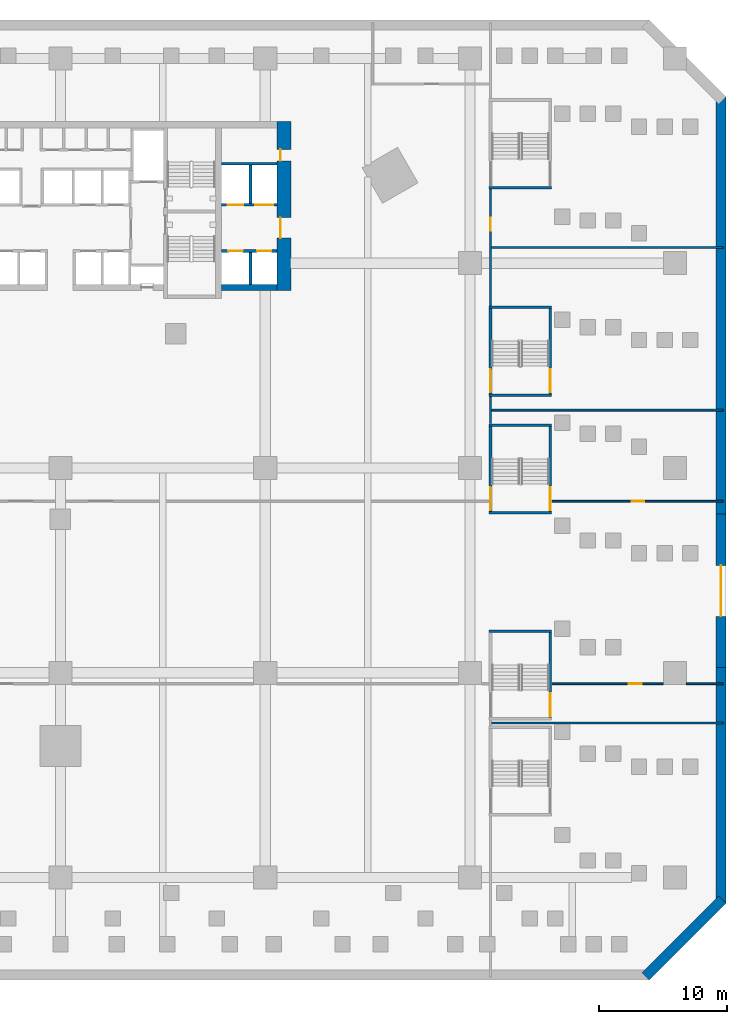
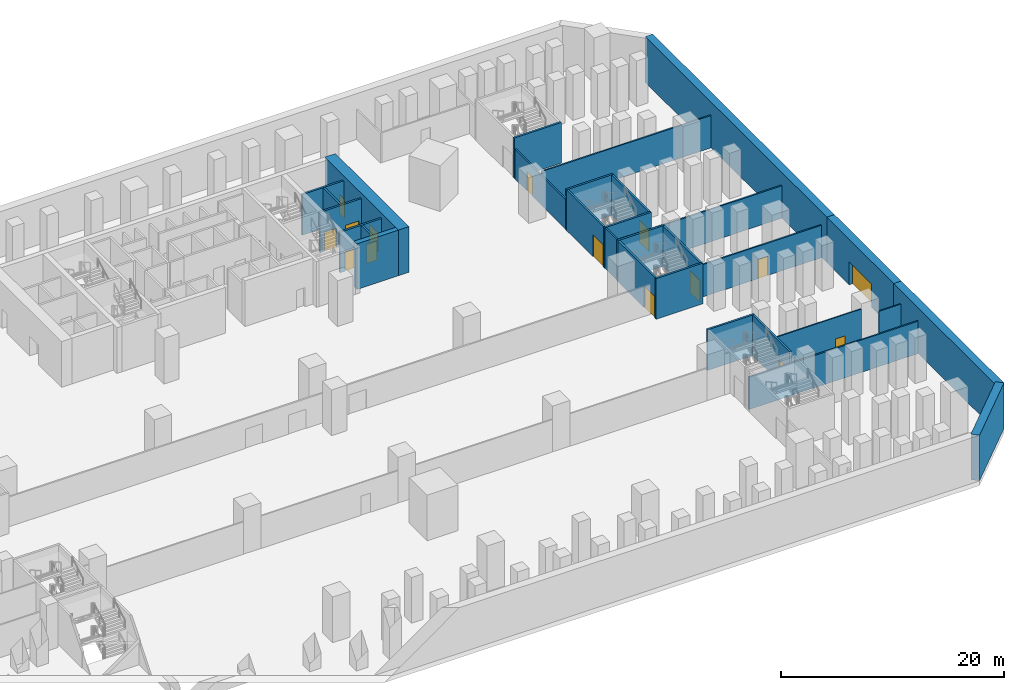
# One storey, part 9 of 24: 30 walls, 15 doors, 15 openings.
"""IFC4 building model written with IfcOpenShell, lengths in metres."""

import ifcopenshell
import ifcopenshell.guid

model = None  # the IFC model being written
_history = None  # IfcOwnerHistory: only IFC2X3 demands one
_inside = {}  # id of a spatial element -> (the spatial element, [elements in it])
_under = {}  # id of a project, library or spatial element -> (it, [spatial elements below it])
_declared = {}  # id of a project -> (the project, [libraries it declares])
_typed = {}  # id of a type object -> (the type object, [elements of that type])
_made_of = {}  # id of a material, layer set ... -> (it, [elements and type objects made of it])


def new_model(schema):
    """Start an empty IFC model of exactly this schema.

    Asked for "IFC4X3", IfcOpenShell would pick the latest addendum, in which some entities
    have other attributes; the version numbers below select the first issue.
    IFC2X3 requires an IfcOwnerHistory on every rooted entity: one is made here for all.
    """
    global model, _history
    if schema == "IFC4X3":
        model = ifcopenshell.file(schema_version=(4, 3, 0, 0))
    else:
        model = ifcopenshell.file(schema=schema)
    _inside.clear()
    _under.clear()
    _declared.clear()
    _typed.clear()
    _made_of.clear()
    _history = None
    if model.schema == "IFC2X3":
        org = make("IfcOrganization", Name="unknown")
        user = make(
            "IfcPersonAndOrganization",
            ThePerson=make("IfcPerson", FamilyName="unknown"),
            TheOrganization=org,
        )
        app = make(
            "IfcApplication",
            ApplicationDeveloper=org,
            Version="unknown",
            ApplicationFullName="unknown",
            ApplicationIdentifier="unknown",
        )
        _history = make(
            "IfcOwnerHistory",
            OwningUser=user,
            OwningApplication=app,
            ChangeAction="ADDED",
            CreationDate=0,
        )
    return model


def make(cls, **values):
    """One entity of the class cls with the attributes given. An attribute that is None is left unset."""
    return model.create_entity(
        cls, **{name: value for name, value in values.items() if value is not None}
    )


def rooted(cls, **values):
    """An entity with a GlobalId (a new one), such as an element, a storey or a relation."""
    return make(cls, GlobalId=ifcopenshell.guid.new(), OwnerHistory=_history, **values)


def si_unit(unit_type, name, prefix=None):
    """IfcSIUnit, for example si_unit("LENGTHUNIT", "METRE", prefix="MILLI")."""
    return make("IfcSIUnit", UnitType=unit_type, Prefix=prefix, Name=name)


def assignment(units):
    """IfcUnitAssignment: the units of a project."""
    return None if units is None else make("IfcUnitAssignment", Units=units)


def point(xyz):
    """IfcCartesianPoint."""
    return None if xyz is None else make("IfcCartesianPoint", Coordinates=xyz)


def direction(xyz):
    """IfcDirection."""
    return None if xyz is None else make("IfcDirection", DirectionRatios=xyz)


def frame(location, z_axis=None, x_axis=None):
    """IfcAxis2Placement3D, a coordinate frame: its origin and axes. An axis left out is left unset."""
    return make(
        "IfcAxis2Placement3D",
        Location=point(location),
        Axis=direction(z_axis),
        RefDirection=direction(x_axis),
    )


def frame_2d(location, x_axis=None):
    """IfcAxis2Placement2D, a coordinate frame in the plane: its origin and x axis."""
    return make(
        "IfcAxis2Placement2D", Location=point(location), RefDirection=direction(x_axis)
    )


def origin():
    """The frame at (0, 0, 0) with its axes left unset."""
    return frame((0.0, 0.0, 0.0))


def place(relative_to, where):
    """IfcLocalPlacement: puts the frame where relative to a parent placement (None: the world)."""
    return make(
        "IfcLocalPlacement", PlacementRelTo=relative_to, RelativePlacement=where
    )


def context(
    kind, dimensions, precision=None, world=None, true_north=None, identifier=None
):
    """IfcGeometricRepresentationContext, for example the 3D "Model" context."""
    return make(
        "IfcGeometricRepresentationContext",
        ContextIdentifier=identifier,
        ContextType=kind,
        CoordinateSpaceDimension=dimensions,
        Precision=precision,
        WorldCoordinateSystem=world,
        TrueNorth=true_north,
    )


def subcontext(parent, identifier, kind, view, scale=None):
    """IfcGeometricRepresentationSubContext, for example "Body" below "Model"."""
    return make(
        "IfcGeometricRepresentationSubContext",
        ContextIdentifier=identifier,
        ContextType=kind,
        ParentContext=parent,
        TargetScale=scale,
        TargetView=view,
    )


def project(units=None, contexts=None):
    """IfcProject with its units and contexts."""
    return rooted(
        "IfcProject",
        Name="project",
        RepresentationContexts=contexts,
        UnitsInContext=assignment(units),
    )


def spatial(cls, under=None, at=None, **own):
    """A site, building, storey or space (cls), placed at a placement, below another one or the project."""
    s = rooted(cls, ObjectPlacement=at, **own)
    if under is not None:
        _under.setdefault(under.id(), (under, []))[1].append(s)
    return s


def profile(cls, at=None, kind="AREA", **sizes):
    """A parametric profile (cls). Its sizes go by their IFC names, for example OverallWidth=200.0."""
    return make(cls, ProfileType=kind, Position=at, **sizes)


def rectangle(**sizes):
    """IfcRectangleProfileDef."""
    return profile("IfcRectangleProfileDef", **sizes)


def extrude(swept, where, along, depth):
    """IfcExtrudedAreaSolid: the profile swept, set in the frame where, extruded along a direction by depth."""
    return make(
        "IfcExtrudedAreaSolid",
        SweptArea=swept,
        Position=where,
        ExtrudedDirection=direction(along),
        Depth=depth,
    )


def shape(context_of_items, identifier, shape_type, items):
    """IfcShapeRepresentation: the items that make up one representation, for example the "Body"."""
    return make(
        "IfcShapeRepresentation",
        ContextOfItems=context_of_items,
        RepresentationIdentifier=identifier,
        RepresentationType=shape_type,
        Items=items,
    )


def material(Name=None, Category=None):
    """IfcMaterial."""
    return make("IfcMaterial", Name=Name, Category=Category)


def layer(
    of_material, thickness, ventilated=None, Name=None, Category=None, Priority=None
):
    """IfcMaterialLayer: one layer of a wall or slab, of a material (None: an air gap)."""
    return make(
        "IfcMaterialLayer",
        Material=of_material,
        LayerThickness=thickness,
        IsVentilated=ventilated,
        Name=Name,
        Category=Category,
        Priority=Priority,
    )


def layer_set(layers, Name=None):
    """IfcMaterialLayerSet."""
    return make("IfcMaterialLayerSet", MaterialLayers=layers, LayerSetName=Name)


def made_of(thing, what):
    """Note that an element or type object is made of a material, layer set ...; save() writes the relation."""
    if what is not None:
        _made_of.setdefault(what.id(), (what, []))[1].append(thing)
    return thing


def type_object(cls, material=None, **own):
    """A type object (cls), such as IfcWallType, which elements share."""
    return made_of(rooted(cls, **own), material)


def element(
    cls,
    number,
    at=None,
    inside=None,
    cuts=None,
    type_object=None,
    material=None,
    context=None,
    identifier="Body",
    shape_type=None,
    held_by="IfcProductDefinitionShape",
    body=None,
    shapes=None,
    **own,
):
    """One element of the class cls, such as IfcWall. Its Tag is "e" and its number.

    at: its placement. inside: the storey or other place that contains it. cuts: it is an
    opening in that element (IfcRelVoidsElement). A single representation is given by context,
    identifier, shape_type and body (its items); several are given by shapes. held_by: the class
    of the entity that holds the representations. save() writes the other relations.
    """
    e = rooted(cls, Tag="e%d" % number, ObjectPlacement=at, **own)
    if body is not None:
        shapes = [shape(context, identifier, shape_type, body)]
    if shapes is not None:
        e.Representation = make(held_by, Representations=shapes)
    if inside is not None:
        _inside.setdefault(inside.id(), (inside, []))[1].append(e)
    if cuts is not None:
        rooted(
            "IfcRelVoidsElement", RelatingBuildingElement=cuts, RelatedOpeningElement=e
        )
    if type_object is not None:
        _typed.setdefault(type_object.id(), (type_object, []))[1].append(e)
    return made_of(e, material)


def fill(opening, filler):
    """IfcRelFillsElement: the door or window that sits in an opening."""
    return rooted(
        "IfcRelFillsElement",
        RelatingOpeningElement=opening,
        RelatedBuildingElement=filler,
    )


def aggregate(whole, parts):
    """IfcRelAggregates: a whole, such as a stair, and the parts it consists of."""
    return rooted("IfcRelAggregates", RelatingObject=whole, RelatedObjects=parts)


def save(model, path):
    """Write the relations noted so far, then the file.

    IfcRelAggregates (storeys below a building ...), IfcRelContainedInSpatialStructure (elements
    in a storey), IfcRelDefinesByType, IfcRelAssociatesMaterial and IfcRelDeclares: one each for
    every whole, place, type object, material and project.
    """
    for whole, parts in _under.values():
        aggregate(whole, parts)
    for where, things in _inside.values():
        rooted(
            "IfcRelContainedInSpatialStructure",
            RelatedElements=things,
            RelatingStructure=where,
        )
    for kind, things in _typed.values():
        rooted("IfcRelDefinesByType", RelatedObjects=things, RelatingType=kind)
    for what, things in _made_of.values():
        rooted("IfcRelAssociatesMaterial", RelatedObjects=things, RelatingMaterial=what)
    for by, libraries in _declared.values():
        rooted("IfcRelDeclares", RelatingContext=by, RelatedDefinitions=libraries)
    model.write(path)


model = new_model("IFC4")

# Units and contexts
model_context = context("Model", 3, precision=1e-05, world=origin(), true_north=direction((0.0, 1.0)))
body_context = subcontext(model_context, "Body", "Model", "MODEL_VIEW")
ifc_project = project(units=[si_unit("LENGTHUNIT", "METRE"), si_unit("AREAUNIT", "SQUARE_METRE"), si_unit("VOLUMEUNIT", "CUBIC_METRE"), si_unit("PLANEANGLEUNIT", "RADIAN"), si_unit("MASSUNIT", "GRAM", prefix="KILO")], contexts=[model_context])

# Site, building, storey
site_placement = place(None, origin())
site = spatial("IfcSite", under=ifc_project, at=site_placement, CompositionType="ELEMENT")
building_placement = place(site_placement, origin())
building = spatial("IfcBuilding", under=site, at=building_placement, Name="Calabash Gate Tower", CompositionType="ELEMENT")
storey_placement = place(building_placement, frame((0.0, 0.0, -5.0)))
storey = spatial("IfcBuildingStorey", under=building, at=storey_placement, Name="B1", CompositionType="ELEMENT", Elevation=-5.0)

# Wall, openings, doors
ifc_material_1 = material(Name="Concrete C60/75", Category="concrete")
ifc_layer_1 = layer(ifc_material_1, 1.10009765625)
ifc_layer_set_1 = layer_set([ifc_layer_1], Name="Core wall 1100 Concrete C60/75")
wall_type_1 = type_object("IfcWallType", Name="Core wall 1100 Concrete C60/75", PredefinedType="SHEAR", material=ifc_layer_set_1)
wall_1_placement = place(storey_placement, frame((17.449951171875, 5.8525390625, 0.0), z_axis=(0.0, 0.0, 1.0), x_axis=(0.0, 1.0, 0.0)))
wall_1 = element("IfcWall", 1, at=wall_1_placement, inside=storey, type_object=wall_type_1, Name="Core wall B-ENDE B1", PredefinedType="SHEAR", context=body_context, shape_type="SweptSolid", body=[
    extrude(rectangle(XDim=13.199951171875, YDim=1.10009765625, at=frame_2d((6.60009765625, 0.0))), origin(), (0.0, 0.0, 1.0), 5.0),
])
opening_1_placement = place(wall_1_placement, frame((4.10009765625, 0.0, 0.0)))
opening_1 = element("IfcOpeningElement", 2, at=opening_1_placement, cuts=wall_1, Name="Opening B1-020", PredefinedType="OPENING", context=body_context, shape_type="SweptSolid", body=[
    extrude(rectangle(XDim=1.60009765625, YDim=2.10009765625, at=frame_2d((0.800048828125, 1.050048828125))), frame((0.0, 0.56005859375, 0.0), z_axis=(0.0, -1.0, 0.0), x_axis=(1.0, 0.0, 0.0)), (0.0, 0.0, 1.0), 1.1201171875),
])
opening_2_placement = place(wall_1_placement, frame((10.14990234375, 0.0, 0.0)))
opening_2 = element("IfcOpeningElement", 3, at=opening_2_placement, cuts=wall_1, Name="Opening B1-021", PredefinedType="OPENING", context=body_context, shape_type="SweptSolid", body=[
    extrude(rectangle(XDim=0.89990234375, YDim=2.10009765625, at=frame_2d((0.449951171875, 1.050048828125))), frame((0.0, 0.56005859375, 0.0), z_axis=(0.0, -1.0, 0.0), x_axis=(1.0, 0.0, 0.0)), (0.0, 0.0, 1.0), 1.1201171875),
])
ifc_material_2 = material(Name="Steel fire door set with fire-resisting glazing", Category="steel")
door_type_1 = type_object("IfcDoorType", Name="Double fire door D08 1600x2100 FD60", OperationType="DOUBLE_DOOR_SINGLE_SWING", PredefinedType="DOOR", material=ifc_material_2)
door_1_placement = place(opening_1_placement, origin())
door_1 = element("IfcDoor", 4, at=door_1_placement, inside=storey, type_object=door_type_1, Name="Low-rise Lift Lobby E door", OperationType="DOUBLE_DOOR_SINGLE_SWING", OverallHeight=2.10009765625, OverallWidth=1.60009765625, PredefinedType="DOOR", context=body_context, shape_type="SweptSolid", body=[
    extrude(rectangle(XDim=1.60009765625, YDim=2.10009765625, at=frame_2d((0.800048828125, 1.050048828125))), frame((0.0, 0.27490234375, 0.0), z_axis=(0.0, -1.0, 0.0), x_axis=(1.0, 0.0, 0.0)), (0.0, 0.0, 1.0), 0.050048828125),
])
fill(opening_1, door_1)
ifc_material_3 = material(Name="Steel fire door set with fire-resisting glazing", Category="steel")
door_type_2 = type_object("IfcDoorType", Name="Fire door D06 900x2100 FD60", OperationType="NOTDEFINED", PredefinedType="DOOR", material=ifc_material_3)
door_2_placement = place(opening_2_placement, origin())
door_2 = element("IfcDoor", 5, at=door_2_placement, inside=storey, type_object=door_type_2, Name="Smoke Extract Plant door", OperationType="SINGLE_SWING_LEFT", OverallHeight=2.10009765625, OverallWidth=0.89990234375, PredefinedType="DOOR", context=body_context, shape_type="SweptSolid", body=[
    extrude(rectangle(XDim=0.89990234375, YDim=2.10009765625, at=frame_2d((0.449951171875, 1.050048828125))), frame((0.0, 0.27490234375, 0.0), z_axis=(0.0, -1.0, 0.0), x_axis=(1.0, 0.0, 0.0)), (0.0, 0.0, 1.0), 0.050048828125),
])
fill(opening_2, door_2)

# Wall
ifc_material_4 = material(Name="Concrete C60/75", Category="concrete")
ifc_layer_2 = layer(ifc_material_4, 0.5)
ifc_layer_set_2 = layer_set([ifc_layer_2], Name="Core wall 500 Concrete C60/75")
wall_type_2 = type_object("IfcWallType", Name="Core wall 500 Concrete C60/75", PredefinedType="SHEAR", material=ifc_layer_set_2)
wall_2_placement = place(storey_placement, frame((12.60009765625, 6.1025390625, 0.0), z_axis=(0.0, 0.0, 1.0), x_axis=(1.0, 0.0, 0.0)))
element("IfcWall", 6, at=wall_2_placement, inside=storey, type_object=wall_type_2, Name="Core wall B-SE B1", PredefinedType="SHEAR", context=body_context, shape_type="SweptSolid", body=[
    extrude(rectangle(XDim=4.2998046875, YDim=0.5, at=frame_2d((2.14990234375, 0.0))), origin(), (0.0, 0.0, 1.0), 5.0),
])

# Wall, opening, door
ifc_material_5 = material(Name="Concrete C60/75", Category="concrete")
ifc_layer_3 = layer(ifc_material_5, 0.800048828125)
ifc_layer_set_3 = layer_set([ifc_layer_3], Name="Diaphragm wall 800 Concrete C60/75")
wall_type_3 = type_object("IfcWallType", Name="Diaphragm wall 800 Concrete C60/75", PredefinedType="SHEAR", material=ifc_layer_set_3)
wall_3_placement = place(storey_placement, frame((51.60009765625, -23.60009765625, 0.0), z_axis=(0.0, 0.0, 1.0), x_axis=(0.0, 1.0, 0.0)))
wall_3 = element("IfcWall", 7, at=wall_3_placement, inside=storey, type_object=wall_type_3, Name="Diaphragm wall B1 vehicle opening east", PredefinedType="SHEAR", context=body_context, shape_type="SweptSolid", body=[
    extrude(rectangle(XDim=12.0, YDim=0.800048828125, at=frame_2d((6.0, 0.0))), origin(), (0.0, 0.0, 1.0), 5.0),
])
opening_3_placement = place(wall_3_placement, frame((4.0, 0.0, 0.0)))
opening_3 = element("IfcOpeningElement", 8, at=opening_3_placement, cuts=wall_3, Name="Opening B1-001", PredefinedType="OPENING", context=body_context, shape_type="SweptSolid", body=[
    extrude(rectangle(XDim=4.0, YDim=2.5, at=frame_2d((2.0, 1.25))), frame((0.0, 0.409912109375, 0.0), z_axis=(0.0, -1.0, 0.0), x_axis=(1.0, 0.0, 0.0)), (0.0, 0.0, 1.0), 0.820068359375),
])
ifc_material_6 = material(Name="Steel roller shutter, powder coated", Category="steel")
door_type_3 = type_object("IfcDoorType", Name="Car park roller shutter DV4 4000x2500", OperationType="ROLLINGUP", PredefinedType="DOOR", material=ifc_material_6)
door_3_placement = place(opening_3_placement, origin())
door_3 = element("IfcDoor", 9, at=door_3_placement, inside=storey, type_object=door_type_3, Name="Car park entry roller shutter", OperationType="SINGLE_SWING_LEFT", OverallHeight=2.5, OverallWidth=4.0, PredefinedType="DOOR", context=body_context, shape_type="SweptSolid", body=[
    extrude(rectangle(XDim=4.0, YDim=2.5, at=frame_2d((2.0, 1.25))), frame((0.0, 0.02490234375, 0.0), z_axis=(0.0, -1.0, 0.0), x_axis=(1.0, 0.0, 0.0)), (0.0, 0.0, 1.0), 0.050048828125),
])
fill(opening_3, door_3)

# Walls
wall_4_placement = place(storey_placement, frame((45.717041015625, -47.717041015625, 0.0), z_axis=(0.0, 0.0, 1.0), x_axis=(0.707106781187, 0.707106781187, 0.0)))
element("IfcWall", 10, at=wall_4_placement, inside=storey, type_object=wall_type_3, Name="Diaphragm wall B1", PredefinedType="SHEAR", context=body_context, shape_type="SweptSolid", body=[
    extrude(rectangle(XDim=8.4853515625, YDim=0.800048828125, at=frame_2d((4.24267578125, 0.0))), origin(), (0.0, 0.0, 1.0), 5.0),
])
wall_5_placement = place(storey_placement, frame((51.60009765625, -42.0, 0.0), z_axis=(0.0, 0.0, 1.0), x_axis=(0.0, 1.0, 0.0)))
element("IfcWall", 11, at=wall_5_placement, inside=storey, type_object=wall_type_3, Name="Diaphragm wall B1", PredefinedType="SHEAR", context=body_context, shape_type="SweptSolid", body=[
    extrude(rectangle(XDim=18.39990234375, YDim=0.800048828125, at=frame_2d((9.199951171875, 0.0))), origin(), (0.0, 0.0, 1.0), 5.0),
])
wall_6_placement = place(storey_placement, frame((51.60009765625, -11.60009765625, 0.0), z_axis=(0.0, 0.0, 1.0), x_axis=(0.0, 1.0, 0.0)))
element("IfcWall", 12, at=wall_6_placement, inside=storey, type_object=wall_type_3, Name="Diaphragm wall B1", PredefinedType="SHEAR", context=body_context, shape_type="SweptSolid", body=[
    extrude(rectangle(XDim=32.60009765625, YDim=0.800048828125, at=frame_2d((16.300048828125, 0.0))), origin(), (0.0, 0.0, 1.0), 5.0),
])
ifc_material_7 = material(Name="Gypsum board on steel studs, mineral wool", Category="steel")
ifc_layer_4 = layer(ifc_material_7, 0.14990234375)
ifc_layer_set_4 = layer_set([ifc_layer_4], Name="Partition 150 gypsum board")
wall_type_4 = type_object("IfcWallType", Name="Partition 150 gypsum board", PredefinedType="PARTITIONING", material=ifc_layer_set_4)
wall_7_placement = place(storey_placement, frame((33.675048828125, -27.925048828125, 0.0), z_axis=(0.0, 0.0, 1.0), x_axis=(1.0, 0.0, 0.0)))
element("IfcWall", 13, at=wall_7_placement, inside=storey, type_object=wall_type_4, Name="Partition", PredefinedType="PARTITIONING", context=body_context, shape_type="SweptSolid", body=[
    extrude(rectangle(XDim=18.099853515625, YDim=0.14990234375, at=frame_2d((9.0498046875, 0.0))), origin(), (0.0, 0.0, 1.0), 3.550048828125),
])

# Wall, opening, door
wall_8_placement = place(storey_placement, frame((38.409912109375, -24.857421875, 0.0), z_axis=(0.0, 0.0, 1.0), x_axis=(1.0, 0.0, 0.0)))
wall_8 = element("IfcWall", 14, at=wall_8_placement, inside=storey, type_object=wall_type_4, Name="Partition", PredefinedType="PARTITIONING", context=body_context, shape_type="SweptSolid", body=[
    extrude(rectangle(XDim=8.690185546875, YDim=0.125, at=frame_2d((4.34521484375, 0.0))), origin(), (0.0, 0.0, 1.0), 4.449951171875),
])
opening_4_placement = place(wall_8_placement, frame((5.989990234375, 0.0, 0.0)))
opening_4 = element("IfcOpeningElement", 15, at=opening_4_placement, cuts=wall_8, Name="Opening B1-053", PredefinedType="OPENING", context=body_context, shape_type="SweptSolid", body=[
    extrude(rectangle(XDim=1.0, YDim=2.10009765625, at=frame_2d((0.5, 1.050048828125))), frame((0.0, 0.072509765625, 0.0), z_axis=(0.0, -1.0, 0.0), x_axis=(1.0, 0.0, 0.0)), (0.0, 0.0, 1.0), 0.14501953125),
])
ifc_material_8 = material(Name="Steel fire door set with fire-resisting glazing", Category="steel")
door_type_4 = type_object("IfcDoorType", Name="Fire door D11 1000x2100 FD60", OperationType="NOTDEFINED", PredefinedType="DOOR", material=ifc_material_8)
door_4_placement = place(opening_4_placement, origin())
door_4 = element("IfcDoor", 16, at=door_4_placement, inside=storey, type_object=door_type_4, Name="Electrical Switch Room door", OperationType="SINGLE_SWING_LEFT", OverallHeight=2.10009765625, OverallWidth=1.0, PredefinedType="DOOR", context=body_context, shape_type="SweptSolid", body=[
    extrude(rectangle(XDim=1.0, YDim=2.10009765625, at=frame_2d((0.5, 1.050048828125))), frame((0.0, 0.02490234375, 0.0), z_axis=(0.0, -1.0, 0.0), x_axis=(1.0, 0.0, 0.0)), (0.0, 0.0, 1.0), 0.050048828125),
])
fill(opening_4, door_4)

# Wall
wall_9_placement = place(storey_placement, frame((48.89990234375, -24.857421875, 0.0), z_axis=(0.0, 0.0, 1.0), x_axis=(1.0, 0.0, 0.0)))
element("IfcWall", 17, at=wall_9_placement, inside=storey, type_object=wall_type_4, Name="Partition", PredefinedType="PARTITIONING", context=body_context, shape_type="SweptSolid", body=[
    extrude(rectangle(XDim=2.875, YDim=0.125, at=frame_2d((1.4375, 0.0))), origin(), (0.0, 0.0, 1.0), 3.550048828125),
])

# Wall, opening, door
wall_10_placement = place(storey_placement, frame((38.409912109375, -10.60009765625, 0.0), z_axis=(0.0, 0.0, 1.0), x_axis=(1.0, 0.0, 0.0)))
wall_10 = element("IfcWall", 18, at=wall_10_placement, inside=storey, type_object=wall_type_4, Name="Partition", PredefinedType="PARTITIONING", context=body_context, shape_type="SweptSolid", body=[
    extrude(rectangle(XDim=13.364990234375, YDim=0.14990234375, at=frame_2d((6.6826171875, 0.0))), origin(), (0.0, 0.0, 1.0), 3.550048828125),
])
opening_5_placement = place(wall_10_placement, frame((6.2109375, 0.0, 0.0)))
opening_5 = element("IfcOpeningElement", 19, at=opening_5_placement, cuts=wall_10, Name="Opening B1-054", PredefinedType="OPENING", context=body_context, shape_type="SweptSolid", body=[
    extrude(rectangle(XDim=1.0, YDim=2.10009765625, at=frame_2d((0.5, 1.050048828125))), frame((0.0, 0.0849609375, 0.0), z_axis=(0.0, -1.0, 0.0), x_axis=(1.0, 0.0, 0.0)), (0.0, 0.0, 1.0), 0.169921875),
])
door_5_placement = place(opening_5_placement, origin())
door_5 = element("IfcDoor", 20, at=door_5_placement, inside=storey, type_object=door_type_4, Name="Metro Operations Office door", OperationType="SINGLE_SWING_LEFT", OverallHeight=2.10009765625, OverallWidth=1.0, PredefinedType="DOOR", context=body_context, shape_type="SweptSolid", body=[
    extrude(rectangle(XDim=1.0, YDim=2.10009765625, at=frame_2d((0.5, 1.050048828125))), frame((0.0, 0.02490234375, 0.0), z_axis=(0.0, -1.0, 0.0), x_axis=(1.0, 0.0, 0.0)), (0.0, 0.0, 1.0), 0.050048828125),
])
fill(opening_5, door_5)

# Walls
wall_11_placement = place(storey_placement, frame((33.60009765625, -4.510009765625, 0.0), z_axis=(0.0, 0.0, 1.0), x_axis=(0.0, 1.0, 0.0)))
element("IfcWall", 21, at=wall_11_placement, inside=storey, type_object=wall_type_4, Name="Partition", PredefinedType="PARTITIONING", context=body_context, shape_type="SweptSolid", body=[
    extrude(rectangle(XDim=2.070068359375, YDim=0.14990234375, at=frame_2d((1.03515625, 0.0))), origin(), (0.0, 0.0, 1.0), 4.449951171875),
])
wall_12_placement = place(storey_placement, frame((33.675048828125, -3.47509765625, 0.0), z_axis=(0.0, 0.0, 1.0), x_axis=(1.0, 0.0, 0.0)))
element("IfcWall", 22, at=wall_12_placement, inside=storey, type_object=wall_type_4, Name="Partition", PredefinedType="PARTITIONING", context=body_context, shape_type="SweptSolid", body=[
    extrude(rectangle(XDim=18.099853515625, YDim=0.14990234375, at=frame_2d((9.0498046875, 0.0))), origin(), (0.0, 0.0, 1.0), 3.550048828125),
])

# Wall, opening, door
wall_13_placement = place(storey_placement, frame((33.60009765625, 4.68994140625, 0.0), z_axis=(0.0, 0.0, 1.0), x_axis=(0.0, 1.0, 0.0)))
wall_13 = element("IfcWall", 23, at=wall_13_placement, inside=storey, type_object=wall_type_4, Name="Partition", PredefinedType="PARTITIONING", context=body_context, shape_type="SweptSolid", body=[
    extrude(rectangle(XDim=9.070068359375, YDim=0.14990234375, at=frame_2d((4.53515625, 0.0))), origin(), (0.0, 0.0, 1.0), 3.25),
])
opening_6_placement = place(wall_13_placement, frame((5.85888671875, 0.0, 0.0)))
opening_6 = element("IfcOpeningElement", 24, at=opening_6_placement, cuts=wall_13, Name="Opening B1-055", PredefinedType="OPENING", context=body_context, shape_type="SweptSolid", body=[
    extrude(rectangle(XDim=1.0, YDim=2.10009765625, at=frame_2d((0.5, 1.050048828125))), frame((0.0, 0.0849609375, 0.0), z_axis=(0.0, -1.0, 0.0), x_axis=(1.0, 0.0, 0.0)), (0.0, 0.0, 1.0), 0.169921875),
])
door_6_placement = place(opening_6_placement, origin())
door_6 = element("IfcDoor", 25, at=door_6_placement, inside=storey, type_object=door_type_4, Name="First Aid Room door", OperationType="SINGLE_SWING_RIGHT", OverallHeight=2.10009765625, OverallWidth=1.0, PredefinedType="DOOR", context=body_context, shape_type="SweptSolid", body=[
    extrude(rectangle(XDim=1.0, YDim=2.10009765625, at=frame_2d((0.5, 1.050048828125))), frame((0.0, 0.02490234375, 0.0), z_axis=(0.0, -1.0, 0.0), x_axis=(1.0, 0.0, 0.0)), (0.0, 0.0, 1.0), 0.050048828125),
])
fill(opening_6, door_6)

# Walls
wall_14_placement = place(storey_placement, frame((33.675048828125, 9.22509765625, 0.0), z_axis=(0.0, 0.0, 1.0), x_axis=(1.0, 0.0, 0.0)))
element("IfcWall", 26, at=wall_14_placement, inside=storey, type_object=wall_type_4, Name="Partition", PredefinedType="PARTITIONING", context=body_context, shape_type="SweptSolid", body=[
    extrude(rectangle(XDim=18.099853515625, YDim=0.14990234375, at=frame_2d((9.0498046875, 0.0))), origin(), (0.0, 0.0, 1.0), 3.550048828125),
])
ifc_material_9 = material(Name="Concrete C40/50", Category="concrete")
ifc_layer_5 = layer(ifc_material_9, 0.199951171875)
ifc_layer_set_5 = layer_set([ifc_layer_5], Name="Shaft wall 200 Concrete C40/50")
wall_type_5 = type_object("IfcWallType", Name="Shaft wall 200 Concrete C40/50", PredefinedType="SOLIDWALL", material=ifc_layer_set_5)
wall_15_placement = place(storey_placement, frame((14.85009765625, 6.3525390625, 0.0), z_axis=(0.0, 0.0, 1.0), x_axis=(0.0, 1.0, 0.0)))
element("IfcWall", 27, at=wall_15_placement, inside=storey, type_object=wall_type_5, Name="Shaft wall", PredefinedType="SOLIDWALL", context=body_context, shape_type="SweptSolid", body=[
    extrude(rectangle(XDim=2.5, YDim=0.199951171875, at=frame_2d((1.25, 0.0))), origin(), (0.0, 0.0, 1.0), 4.449951171875),
])

# Wall, openings, doors
wall_16_placement = place(storey_placement, frame((12.60009765625, 8.95263671875, 0.0), z_axis=(0.0, 0.0, 1.0), x_axis=(1.0, 0.0, 0.0)))
wall_16 = element("IfcWall", 28, at=wall_16_placement, inside=storey, type_object=wall_type_5, Name="Shaft wall", PredefinedType="SOLIDWALL", context=body_context, shape_type="SweptSolid", body=[
    extrude(rectangle(XDim=4.2998046875, YDim=0.199951171875, at=frame_2d((2.14990234375, 0.0))), origin(), (0.0, 0.0, 1.0), 4.449951171875),
])
opening_7_placement = place(wall_16_placement, frame((0.52490234375, 0.0, 0.0)))
opening_7 = element("IfcOpeningElement", 29, at=opening_7_placement, cuts=wall_16, Name="Opening LD-LR5", PredefinedType="OPENING", context=body_context, shape_type="SweptSolid", body=[
    extrude(rectangle(XDim=1.10009765625, YDim=2.10009765625, at=frame_2d((0.550048828125, 1.050048828125))), frame((0.0, 0.10986328125, 0.0), z_axis=(0.0, -1.0, 0.0), x_axis=(1.0, 0.0, 0.0)), (0.0, 0.0, 1.0), 0.219970703125),
])
opening_8_placement = place(wall_16_placement, frame((2.77490234375, 0.0, 0.0)))
opening_8 = element("IfcOpeningElement", 30, at=opening_8_placement, cuts=wall_16, Name="Opening LD-LR6", PredefinedType="OPENING", context=body_context, shape_type="SweptSolid", body=[
    extrude(rectangle(XDim=1.10009765625, YDim=2.10009765625, at=frame_2d((0.550048828125, 1.050048828125))), frame((0.0, 0.10986328125, 0.0), z_axis=(0.0, -1.0, 0.0), x_axis=(1.0, 0.0, 0.0)), (0.0, 0.0, 1.0), 0.219970703125),
])
ifc_material_10 = material(Name="Stainless steel sliding door leaves", Category="steel")
door_type_5 = type_object("IfcDoorType", Name="Lift landing door LS1 1100x2100 FD90", OperationType="DOUBLE_DOOR_SLIDING", PredefinedType="DOOR", material=ifc_material_10)
door_7_placement = place(opening_7_placement, origin())
door_7 = element("IfcDoor", 31, at=door_7_placement, inside=storey, type_object=door_type_5, Name="Lift landing door LR5", OperationType="DOUBLE_DOOR_SLIDING", OverallHeight=2.10009765625, OverallWidth=1.10009765625, PredefinedType="DOOR", context=body_context, shape_type="SweptSolid", body=[
    extrude(rectangle(XDim=1.10009765625, YDim=2.10009765625, at=frame_2d((0.550048828125, 1.050048828125))), frame((0.0, 0.02490234375, 0.0), z_axis=(0.0, -1.0, 0.0), x_axis=(1.0, 0.0, 0.0)), (0.0, 0.0, 1.0), 0.050048828125),
])
fill(opening_7, door_7)
door_8_placement = place(opening_8_placement, origin())
door_8 = element("IfcDoor", 32, at=door_8_placement, inside=storey, type_object=door_type_5, Name="Lift landing door LR6", OperationType="DOUBLE_DOOR_SLIDING", OverallHeight=2.10009765625, OverallWidth=1.10009765625, PredefinedType="DOOR", context=body_context, shape_type="SweptSolid", body=[
    extrude(rectangle(XDim=1.10009765625, YDim=2.10009765625, at=frame_2d((0.550048828125, 1.050048828125))), frame((0.0, 0.02490234375, 0.0), z_axis=(0.0, -1.0, 0.0), x_axis=(1.0, 0.0, 0.0)), (0.0, 0.0, 1.0), 0.050048828125),
])
fill(opening_8, door_8)

wall_17_placement = place(storey_placement, frame((12.60009765625, 12.552490234375, 0.0), z_axis=(0.0, 0.0, 1.0), x_axis=(1.0, 0.0, 0.0)))
wall_17 = element("IfcWall", 33, at=wall_17_placement, inside=storey, type_object=wall_type_5, Name="Shaft wall", PredefinedType="SOLIDWALL", context=body_context, shape_type="SweptSolid", body=[
    extrude(rectangle(XDim=4.2998046875, YDim=0.199951171875, at=frame_2d((2.14990234375, 0.0))), origin(), (0.0, 0.0, 1.0), 4.449951171875),
])
opening_9_placement = place(wall_17_placement, frame((0.47509765625, 0.0, 0.0)))
opening_9 = element("IfcOpeningElement", 34, at=opening_9_placement, cuts=wall_17, Name="Opening LD-SL1", PredefinedType="OPENING", context=body_context, shape_type="SweptSolid", body=[
    extrude(rectangle(XDim=1.199951171875, YDim=2.10009765625, at=frame_2d((0.60009765625, 1.050048828125))), frame((0.0, 0.10986328125, 0.0), z_axis=(0.0, -1.0, 0.0), x_axis=(1.0, 0.0, 0.0)), (0.0, 0.0, 1.0), 0.219970703125),
])
opening_10_placement = place(wall_17_placement, frame((2.625, 0.0, 0.0)))
opening_10 = element("IfcOpeningElement", 35, at=opening_10_placement, cuts=wall_17, Name="Opening LD-GL1", PredefinedType="OPENING", context=body_context, shape_type="SweptSolid", body=[
    extrude(rectangle(XDim=1.39990234375, YDim=2.10009765625, at=frame_2d((0.699951171875, 1.050048828125))), frame((0.0, 0.10986328125, 0.0), z_axis=(0.0, -1.0, 0.0), x_axis=(1.0, 0.0, 0.0)), (0.0, 0.0, 1.0), 0.219970703125),
])
ifc_material_11 = material(Name="Stainless steel sliding door leaves", Category="steel")
door_type_6 = type_object("IfcDoorType", Name="Lift landing door LS3 1200x2100 FD90", OperationType="DOUBLE_DOOR_SLIDING", PredefinedType="DOOR", material=ifc_material_11)
door_9_placement = place(opening_9_placement, origin())
door_9 = element("IfcDoor", 36, at=door_9_placement, inside=storey, type_object=door_type_6, Name="Lift landing door SL1", OperationType="DOUBLE_DOOR_SLIDING", OverallHeight=2.10009765625, OverallWidth=1.199951171875, PredefinedType="DOOR", context=body_context, shape_type="SweptSolid", body=[
    extrude(rectangle(XDim=1.199951171875, YDim=2.10009765625, at=frame_2d((0.60009765625, 1.050048828125))), frame((0.0, 0.02490234375, 0.0), z_axis=(0.0, -1.0, 0.0), x_axis=(1.0, 0.0, 0.0)), (0.0, 0.0, 1.0), 0.050048828125),
])
fill(opening_9, door_9)
ifc_material_12 = material(Name="Stainless steel sliding door leaves", Category="steel")
door_type_7 = type_object("IfcDoorType", Name="Lift landing door LS4 1400x2100 FD90", OperationType="DOUBLE_DOOR_SLIDING", PredefinedType="DOOR", material=ifc_material_12)
door_10_placement = place(opening_10_placement, origin())
door_10 = element("IfcDoor", 37, at=door_10_placement, inside=storey, type_object=door_type_7, Name="Lift landing door GL1", OperationType="DOUBLE_DOOR_SLIDING", OverallHeight=2.10009765625, OverallWidth=1.39990234375, PredefinedType="DOOR", context=body_context, shape_type="SweptSolid", body=[
    extrude(rectangle(XDim=1.39990234375, YDim=2.10009765625, at=frame_2d((0.699951171875, 1.050048828125))), frame((0.0, 0.02490234375, 0.0), z_axis=(0.0, -1.0, 0.0), x_axis=(1.0, 0.0, 0.0)), (0.0, 0.0, 1.0), 0.050048828125),
])
fill(opening_10, door_10)

# Walls
wall_18_placement = place(storey_placement, frame((14.85009765625, 12.652587890625, 0.0), z_axis=(0.0, 0.0, 1.0), x_axis=(0.0, 1.0, 0.0)))
element("IfcWall", 38, at=wall_18_placement, inside=storey, type_object=wall_type_5, Name="Shaft wall", PredefinedType="SOLIDWALL", context=body_context, shape_type="SweptSolid", body=[
    extrude(rectangle(XDim=3.0, YDim=0.199951171875, at=frame_2d((1.5, 0.0))), origin(), (0.0, 0.0, 1.0), 4.449951171875),
])
wall_19_placement = place(storey_placement, frame((12.60009765625, 15.752685546875, 0.0), z_axis=(0.0, 0.0, 1.0), x_axis=(1.0, 0.0, 0.0)))
element("IfcWall", 39, at=wall_19_placement, inside=storey, type_object=wall_type_5, Name="Shaft wall", PredefinedType="SOLIDWALL", context=body_context, shape_type="SweptSolid", body=[
    extrude(rectangle(XDim=4.2998046875, YDim=0.199951171875, at=frame_2d((2.14990234375, 0.0))), origin(), (0.0, 0.0, 1.0), 4.449951171875),
])
ifc_material_13 = material(Name="Concrete C40/50", Category="concrete")
ifc_layer_6 = layer(ifc_material_13, 0.199951171875)
ifc_layer_set_6 = layer_set([ifc_layer_6], Name="Stair wall 200 Concrete C40/50")
wall_type_6 = type_object("IfcWallType", Name="Stair wall 200 Concrete C40/50", PredefinedType="SOLIDWALL", material=ifc_layer_set_6)
wall_20_placement = place(storey_placement, frame((33.5, -20.75, 0.0), z_axis=(0.0, 0.0, 1.0), x_axis=(1.0, 0.0, 0.0)))
element("IfcWall", 40, at=wall_20_placement, inside=storey, type_object=wall_type_6, Name="Stair wall", PredefinedType="SOLIDWALL", context=body_context, shape_type="SweptSolid", body=[
    extrude(rectangle(XDim=4.8701171875, YDim=0.199951171875, at=frame_2d((2.43505859375, 0.0))), origin(), (0.0, 0.0, 1.0), 4.449951171875),
])

# Wall, opening, door
wall_21_placement = place(storey_placement, frame((38.27001953125, -27.5, 0.0), z_axis=(0.0, 0.0, 1.0), x_axis=(0.0, 1.0, 0.0)))
wall_21 = element("IfcWall", 41, at=wall_21_placement, inside=storey, type_object=wall_type_6, Name="Stair wall", PredefinedType="SOLIDWALL", context=body_context, shape_type="SweptSolid", body=[
    extrude(rectangle(XDim=6.64990234375, YDim=0.199951171875, at=frame_2d((3.324951171875, 0.0))), origin(), (0.0, 0.0, 1.0), 4.449951171875),
])
opening_11_placement = place(wall_21_placement, frame((0.10009765625, 0.0, 0.0)))
opening_11 = element("IfcOpeningElement", 42, at=opening_11_placement, cuts=wall_21, Name="Opening B1-035", PredefinedType="OPENING", context=body_context, shape_type="SweptSolid", body=[
    extrude(rectangle(XDim=1.800048828125, YDim=2.39990234375, at=frame_2d((0.89990234375, 1.199951171875))), frame((0.0, 0.10986328125, 0.0), z_axis=(0.0, -1.0, 0.0), x_axis=(1.0, 0.0, 0.0)), (0.0, 0.0, 1.0), 0.219970703125),
])
ifc_material_14 = material(Name="Steel fire door set with fire-resisting glazing", Category="steel")
door_type_8 = type_object("IfcDoorType", Name="Double fire door D16 1800x2400 FD90", OperationType="DOUBLE_DOOR_SINGLE_SWING", PredefinedType="DOOR", material=ifc_material_14)
door_11_placement = place(opening_11_placement, origin())
door_11 = element("IfcDoor", 43, at=door_11_placement, inside=storey, type_object=door_type_8, Name="Exit stair door PS7", OperationType="DOUBLE_DOOR_SINGLE_SWING", OverallHeight=2.39990234375, OverallWidth=1.800048828125, PredefinedType="DOOR", context=body_context, shape_type="SweptSolid", body=[
    extrude(rectangle(XDim=1.800048828125, YDim=2.39990234375, at=frame_2d((0.89990234375, 1.199951171875))), frame((0.0, 0.02490234375, 0.0), z_axis=(0.0, -1.0, 0.0), x_axis=(1.0, 0.0, 0.0)), (0.0, 0.0, 1.0), 0.050048828125),
])
fill(opening_11, door_11)

# Walls
for number, where, z_axis, x_axis, name in (
    (44, (33.5, -11.5, 0.0), (0.0, 0.0, 1.0), (1.0, 0.0, 0.0), "Stair wall"),
    (45, (33.5, -4.64990234375, 0.0), (0.0, 0.0, 1.0), (1.0, 0.0, 0.0), "Stair wall"),
):
    element("IfcWall", number, at=place(storey_placement, frame(where, z_axis=z_axis, x_axis=x_axis)), inside=storey, type_object=wall_type_6, Name=name, PredefinedType="SOLIDWALL", context=body_context, shape_type="SweptSolid", body=[
        extrude(rectangle(XDim=4.8701171875, YDim=0.199951171875, at=frame_2d((2.43505859375, 0.0))), origin(), (0.0, 0.0, 1.0), 4.449951171875),
    ])

# Wall, opening, door
wall_22_placement = place(storey_placement, frame((33.60009765625, -11.39990234375, 0.0), z_axis=(0.0, 0.0, 1.0), x_axis=(0.0, 1.0, 0.0)))
wall_22 = element("IfcWall", 46, at=wall_22_placement, inside=storey, type_object=wall_type_6, Name="Stair wall", PredefinedType="SOLIDWALL", context=body_context, shape_type="SweptSolid", body=[
    extrude(rectangle(XDim=6.64990234375, YDim=0.199951171875, at=frame_2d((3.324951171875, 0.0))), origin(), (0.0, 0.0, 1.0), 4.449951171875),
])
opening_12_placement = place(wall_22_placement, frame((0.10009765625, 0.0, 0.0)))
opening_12 = element("IfcOpeningElement", 47, at=opening_12_placement, cuts=wall_22, Name="Opening B1-036", PredefinedType="OPENING", context=body_context, shape_type="SweptSolid", body=[
    extrude(rectangle(XDim=1.800048828125, YDim=2.39990234375, at=frame_2d((0.89990234375, 1.199951171875))), frame((0.0, 0.10986328125, 0.0), z_axis=(0.0, -1.0, 0.0), x_axis=(1.0, 0.0, 0.0)), (0.0, 0.0, 1.0), 0.219970703125),
])
door_12_placement = place(opening_12_placement, origin())
door_12 = element("IfcDoor", 48, at=door_12_placement, inside=storey, type_object=door_type_8, Name="Exit stair door PS8", OperationType="DOUBLE_DOOR_SINGLE_SWING", OverallHeight=2.39990234375, OverallWidth=1.800048828125, PredefinedType="DOOR", context=body_context, shape_type="SweptSolid", body=[
    extrude(rectangle(XDim=1.800048828125, YDim=2.39990234375, at=frame_2d((0.89990234375, 1.199951171875))), frame((0.0, 0.02490234375, 0.0), z_axis=(0.0, -1.0, 0.0), x_axis=(1.0, 0.0, 0.0)), (0.0, 0.0, 1.0), 0.050048828125),
])
fill(opening_12, door_12)

wall_23_placement = place(storey_placement, frame((38.27001953125, -11.39990234375, 0.0), z_axis=(0.0, 0.0, 1.0), x_axis=(0.0, 1.0, 0.0)))
wall_23 = element("IfcWall", 49, at=wall_23_placement, inside=storey, type_object=wall_type_6, Name="Stair wall", PredefinedType="SOLIDWALL", context=body_context, shape_type="SweptSolid", body=[
    extrude(rectangle(XDim=6.64990234375, YDim=0.199951171875, at=frame_2d((3.324951171875, 0.0))), origin(), (0.0, 0.0, 1.0), 4.449951171875),
])
opening_13_placement = place(wall_23_placement, frame((0.10009765625, 0.0, 0.0)))
opening_13 = element("IfcOpeningElement", 50, at=opening_13_placement, cuts=wall_23, Name="Opening B1-037", PredefinedType="OPENING", context=body_context, shape_type="SweptSolid", body=[
    extrude(rectangle(XDim=1.800048828125, YDim=2.39990234375, at=frame_2d((0.89990234375, 1.199951171875))), frame((0.0, 0.10986328125, 0.0), z_axis=(0.0, -1.0, 0.0), x_axis=(1.0, 0.0, 0.0)), (0.0, 0.0, 1.0), 0.219970703125),
])
door_13_placement = place(opening_13_placement, origin())
door_13 = element("IfcDoor", 51, at=door_13_placement, inside=storey, type_object=door_type_8, Name="Exit stair door PS8", OperationType="DOUBLE_DOOR_SINGLE_SWING", OverallHeight=2.39990234375, OverallWidth=1.800048828125, PredefinedType="DOOR", context=body_context, shape_type="SweptSolid", body=[
    extrude(rectangle(XDim=1.800048828125, YDim=2.39990234375, at=frame_2d((0.89990234375, 1.199951171875))), frame((0.0, 0.02490234375, 0.0), z_axis=(0.0, -1.0, 0.0), x_axis=(1.0, 0.0, 0.0)), (0.0, 0.0, 1.0), 0.050048828125),
])
fill(opening_13, door_13)

# Walls
for number, where, z_axis, x_axis, name in (
    (52, (33.5, -2.300048828125, 0.0), (0.0, 0.0, 1.0), (1.0, 0.0, 0.0), "Stair wall"),
    (53, (33.5, 4.550048828125, 0.0), (0.0, 0.0, 1.0), (1.0, 0.0, 0.0), "Stair wall"),
):
    element("IfcWall", number, at=place(storey_placement, frame(where, z_axis=z_axis, x_axis=x_axis)), inside=storey, type_object=wall_type_6, Name=name, PredefinedType="SOLIDWALL", context=body_context, shape_type="SweptSolid", body=[
        extrude(rectangle(XDim=4.8701171875, YDim=0.199951171875, at=frame_2d((2.43505859375, 0.0))), origin(), (0.0, 0.0, 1.0), 4.449951171875),
    ])

# Wall, opening, door
wall_24_placement = place(storey_placement, frame((33.60009765625, -2.199951171875, 0.0), z_axis=(0.0, 0.0, 1.0), x_axis=(0.0, 1.0, 0.0)))
wall_24 = element("IfcWall", 54, at=wall_24_placement, inside=storey, type_object=wall_type_6, Name="Stair wall", PredefinedType="SOLIDWALL", context=body_context, shape_type="SweptSolid", body=[
    extrude(rectangle(XDim=6.64990234375, YDim=0.199951171875, at=frame_2d((3.324951171875, 0.0))), origin(), (0.0, 0.0, 1.0), 4.449951171875),
])
opening_14_placement = place(wall_24_placement, frame((0.10009765625, 0.0, 0.0)))
opening_14 = element("IfcOpeningElement", 55, at=opening_14_placement, cuts=wall_24, Name="Opening B1-038", PredefinedType="OPENING", context=body_context, shape_type="SweptSolid", body=[
    extrude(rectangle(XDim=1.800048828125, YDim=2.39990234375, at=frame_2d((0.89990234375, 1.199951171875))), frame((0.0, 0.10986328125, 0.0), z_axis=(0.0, -1.0, 0.0), x_axis=(1.0, 0.0, 0.0)), (0.0, 0.0, 1.0), 0.219970703125),
])
door_14_placement = place(opening_14_placement, origin())
door_14 = element("IfcDoor", 56, at=door_14_placement, inside=storey, type_object=door_type_8, Name="Exit stair door PS9", OperationType="DOUBLE_DOOR_SINGLE_SWING", OverallHeight=2.39990234375, OverallWidth=1.800048828125, PredefinedType="DOOR", context=body_context, shape_type="SweptSolid", body=[
    extrude(rectangle(XDim=1.800048828125, YDim=2.39990234375, at=frame_2d((0.89990234375, 1.199951171875))), frame((0.0, 0.02490234375, 0.0), z_axis=(0.0, -1.0, 0.0), x_axis=(1.0, 0.0, 0.0)), (0.0, 0.0, 1.0), 0.050048828125),
])
fill(opening_14, door_14)

wall_25_placement = place(storey_placement, frame((38.27001953125, -2.199951171875, 0.0), z_axis=(0.0, 0.0, 1.0), x_axis=(0.0, 1.0, 0.0)))
wall_25 = element("IfcWall", 57, at=wall_25_placement, inside=storey, type_object=wall_type_6, Name="Stair wall", PredefinedType="SOLIDWALL", context=body_context, shape_type="SweptSolid", body=[
    extrude(rectangle(XDim=6.64990234375, YDim=0.199951171875, at=frame_2d((3.324951171875, 0.0))), origin(), (0.0, 0.0, 1.0), 4.449951171875),
])
opening_15_placement = place(wall_25_placement, frame((0.10009765625, 0.0, 0.0)))
opening_15 = element("IfcOpeningElement", 58, at=opening_15_placement, cuts=wall_25, Name="Opening B1-039", PredefinedType="OPENING", context=body_context, shape_type="SweptSolid", body=[
    extrude(rectangle(XDim=1.800048828125, YDim=2.39990234375, at=frame_2d((0.89990234375, 1.199951171875))), frame((0.0, 0.10986328125, 0.0), z_axis=(0.0, -1.0, 0.0), x_axis=(1.0, 0.0, 0.0)), (0.0, 0.0, 1.0), 0.219970703125),
])
door_15_placement = place(opening_15_placement, origin())
door_15 = element("IfcDoor", 59, at=door_15_placement, inside=storey, type_object=door_type_8, Name="Exit stair door PS9", OperationType="DOUBLE_DOOR_SINGLE_SWING", OverallHeight=2.39990234375, OverallWidth=1.800048828125, PredefinedType="DOOR", context=body_context, shape_type="SweptSolid", body=[
    extrude(rectangle(XDim=1.800048828125, YDim=2.39990234375, at=frame_2d((0.89990234375, 1.199951171875))), frame((0.0, 0.02490234375, 0.0), z_axis=(0.0, -1.0, 0.0), x_axis=(1.0, 0.0, 0.0)), (0.0, 0.0, 1.0), 0.050048828125),
])
fill(opening_15, door_15)

# Wall
wall_26_placement = place(storey_placement, frame((33.5, 13.89990234375, 0.0), z_axis=(0.0, 0.0, 1.0), x_axis=(1.0, 0.0, 0.0)))
element("IfcWall", 60, at=wall_26_placement, inside=storey, type_object=wall_type_6, Name="Stair wall", PredefinedType="SOLIDWALL", context=body_context, shape_type="SweptSolid", body=[
    extrude(rectangle(XDim=4.8701171875, YDim=0.199951171875, at=frame_2d((2.43505859375, 0.0))), origin(), (0.0, 0.0, 1.0), 4.449951171875),
])

save(model, "model.ifc")
